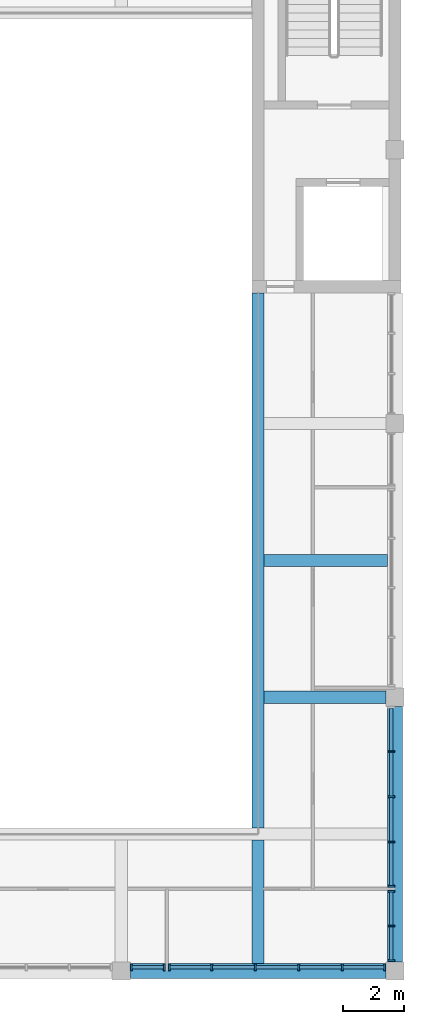
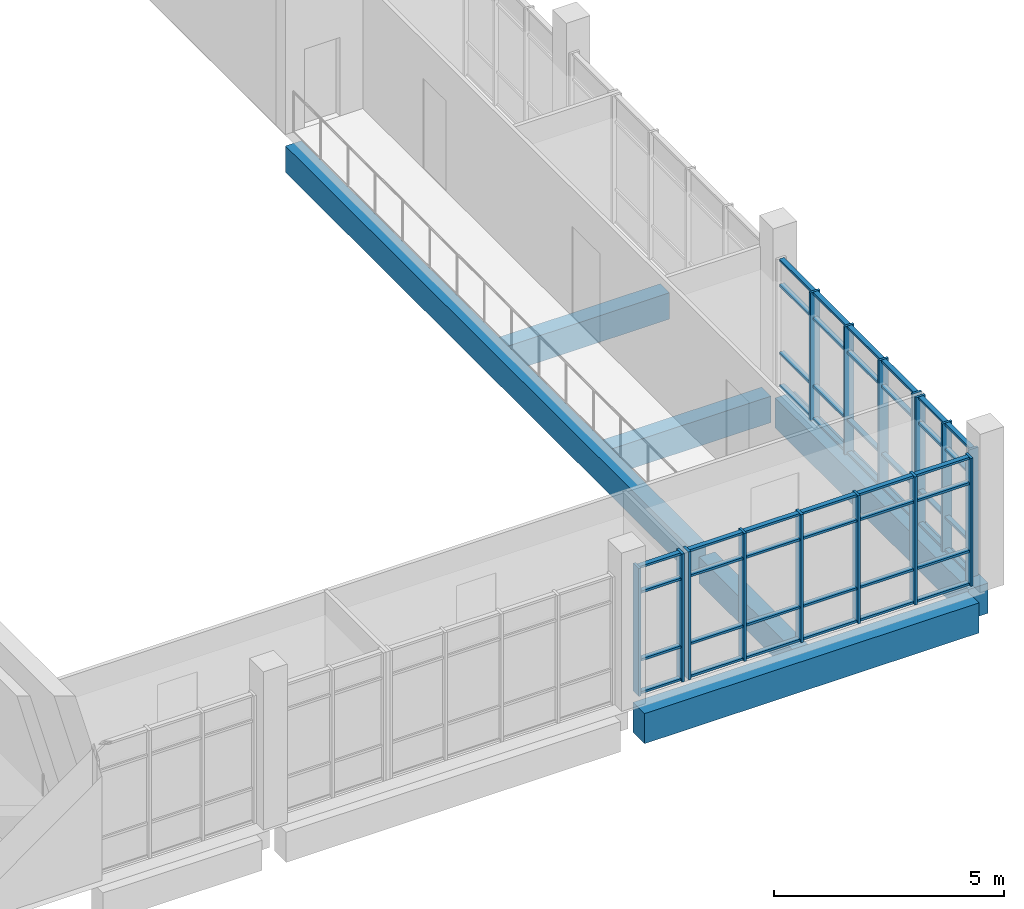
# One storey, part 10 of 92: 63 members, 6 beams, 4 elements without a shape of their own.
"""IFC4 building model written with IfcOpenShell, lengths in metres."""

from ifc_helpers import new_model, si_unit, direction, frame, origin, origin_2d, place, context, subcontext, project, spatial, rectangle, extrude, material, material_profile, profile_set, type_object, element, aggregate, save


model = new_model("IFC4")

# Units and contexts
model_context = context("Model", 3, precision=1e-05, world=origin(), true_north=direction((0.0, 1.0)))
body_context = subcontext(model_context, "Body", "Model", "MODEL_VIEW")
ifc_project = project(units=[si_unit("LENGTHUNIT", "METRE"), si_unit("AREAUNIT", "SQUARE_METRE"), si_unit("VOLUMEUNIT", "CUBIC_METRE"), si_unit("PLANEANGLEUNIT", "RADIAN"), si_unit("MASSUNIT", "GRAM", prefix="KILO")], contexts=[model_context])

# Site, building, storey
site_placement = place(None, origin())
site = spatial("IfcSite", under=ifc_project, at=site_placement, CompositionType="ELEMENT")
building_placement = place(site_placement, origin())
building = spatial("IfcBuilding", under=site, at=building_placement, Name="Merrow Basin Faculty of Sciences", CompositionType="ELEMENT")
storey_placement = place(building_placement, frame((0.0, 0.0, 4.5)))
storey = spatial("IfcBuildingStorey", under=building, at=storey_placement, Name="L01", CompositionType="ELEMENT", Elevation=4.5)

# Curtain wall, members
ifc_material_1 = material(Name="Aluminium alloy 6063", Category="aluminium")
curtain_wall_type = type_object("IfcCurtainWallType", Name="Atrium unitised curtain wall 240", PredefinedType="NOTDEFINED", material=ifc_material_1)
curtain_wall_1_placement = place(storey_placement, origin())
curtain_wall_1 = element("IfcCurtainWall", 1, at=curtain_wall_1_placement, inside=storey, type_object=curtain_wall_type, Name="E curtain wall L01 1", PredefinedType="NOTDEFINED")
ifc_material_2 = material(Name="Aluminium alloy 6063", Category="aluminium")
ifc_material_profile_1 = material_profile(ifc_material_2, rectangle(XDim=0.239990234375, YDim=0.06005859375, at=origin_2d()))
ifc_profile_set_1 = profile_set([ifc_material_profile_1], Name="Aluminium alloy 6063")
member_type_1 = type_object("IfcMemberType", Name="Aluminium mullion 60x240", PredefinedType="MULLION", material=ifc_profile_set_1)
member_1_placement = place(storey_placement, frame((71.8798828125, 0.330078125, 0.0), z_axis=(0.0, 0.0, 1.0), x_axis=(-1.0, 0.0, 0.0)))
member_1 = element("IfcMember", 2, at=member_1_placement, type_object=member_type_1, Name="CW5 mullion 1", PredefinedType="MULLION", context=body_context, shape_type="SweptSolid", body=[
    extrude(rectangle(XDim=0.239990234375, YDim=0.06005859375, at=origin_2d()), origin(), (0.0, 0.0, 1.0), 3.39990234375),
])
member_2_placement = place(storey_placement, frame((71.8798828125, 1.47509765625, 0.0), z_axis=(0.0, 0.0, 1.0), x_axis=(-1.0, 0.0, 0.0)))
member_2 = element("IfcMember", 3, at=member_2_placement, type_object=member_type_1, Name="CW5 mullion 2", PredefinedType="MULLION", context=body_context, shape_type="SweptSolid", body=[
    extrude(rectangle(XDim=0.239990234375, YDim=0.06005859375, at=origin_2d()), origin(), (0.0, 0.0, 1.0), 3.39990234375),
])
member_3_placement = place(storey_placement, frame((71.8798828125, 2.6201171875, 0.0), z_axis=(0.0, 0.0, 1.0), x_axis=(-1.0, 0.0, 0.0)))
member_3 = element("IfcMember", 4, at=member_3_placement, type_object=member_type_1, Name="CW5 mullion 3", PredefinedType="MULLION", context=body_context, shape_type="SweptSolid", body=[
    extrude(rectangle(XDim=0.239990234375, YDim=0.06005859375, at=origin_2d()), origin(), (0.0, 0.0, 1.0), 3.39990234375),
])

curtain_wall_2_placement = place(storey_placement, origin())
curtain_wall_2 = element("IfcCurtainWall", 5, at=curtain_wall_2_placement, inside=storey, type_object=curtain_wall_type, Name="E curtain wall L01 2", PredefinedType="NOTDEFINED")
member_4_placement = place(storey_placement, frame((71.8798828125, 2.780029296875, 0.0), z_axis=(0.0, 0.0, 1.0), x_axis=(-1.0, 0.0, 0.0)))
member_4 = element("IfcMember", 6, at=member_4_placement, type_object=member_type_1, Name="CW5 mullion 1", PredefinedType="MULLION", context=body_context, shape_type="SweptSolid", body=[
    extrude(rectangle(XDim=0.239990234375, YDim=0.06005859375, at=origin_2d()), origin(), (0.0, 0.0, 1.0), 3.39990234375),
])
member_5_placement = place(storey_placement, frame((71.8798828125, 4.237548828125, 0.0), z_axis=(0.0, 0.0, 1.0), x_axis=(-1.0, 0.0, 0.0)))
member_5 = element("IfcMember", 7, at=member_5_placement, type_object=member_type_1, Name="CW5 mullion 2", PredefinedType="MULLION", context=body_context, shape_type="SweptSolid", body=[
    extrude(rectangle(XDim=0.239990234375, YDim=0.06005859375, at=origin_2d()), origin(), (0.0, 0.0, 1.0), 3.39990234375),
])
member_6_placement = place(storey_placement, frame((71.8798828125, 5.72509765625, 0.0), z_axis=(0.0, 0.0, 1.0), x_axis=(-1.0, 0.0, 0.0)))
member_6 = element("IfcMember", 8, at=member_6_placement, type_object=member_type_1, Name="CW5 mullion 3", PredefinedType="MULLION", context=body_context, shape_type="SweptSolid", body=[
    extrude(rectangle(XDim=0.239990234375, YDim=0.06005859375, at=origin_2d()), origin(), (0.0, 0.0, 1.0), 3.39990234375),
])
member_7_placement = place(storey_placement, frame((71.8798828125, 7.21240234375, 0.0), z_axis=(0.0, 0.0, 1.0), x_axis=(-1.0, 0.0, 0.0)))
member_7 = element("IfcMember", 9, at=member_7_placement, type_object=member_type_1, Name="CW5 mullion 4", PredefinedType="MULLION", context=body_context, shape_type="SweptSolid", body=[
    extrude(rectangle(XDim=0.239990234375, YDim=0.06005859375, at=origin_2d()), origin(), (0.0, 0.0, 1.0), 3.39990234375),
])

curtain_wall_3_placement = place(storey_placement, origin())
curtain_wall_3 = element("IfcCurtainWall", 10, at=curtain_wall_3_placement, inside=storey, type_object=curtain_wall_type, Name="S curtain wall L01 4", PredefinedType="NOTDEFINED")
member_8_placement = place(storey_placement, frame((63.330078125, 0.1201171875, 0.0), z_axis=(0.0, 0.0, 1.0), x_axis=(0.0, 1.0, 0.0)))
member_8 = element("IfcMember", 11, at=member_8_placement, type_object=member_type_1, Name="CW5 mullion 1", PredefinedType="MULLION", context=body_context, shape_type="SweptSolid", body=[
    extrude(rectangle(XDim=0.239990234375, YDim=0.06005859375, at=origin_2d()), origin(), (0.0, 0.0, 1.0), 3.39990234375),
])
member_9_placement = place(storey_placement, frame((64.419921875, 0.1201171875, 0.0), z_axis=(0.0, 0.0, 1.0), x_axis=(0.0, 1.0, 0.0)))
member_9 = element("IfcMember", 12, at=member_9_placement, type_object=member_type_1, Name="CW5 mullion 2", PredefinedType="MULLION", context=body_context, shape_type="SweptSolid", body=[
    extrude(rectangle(XDim=0.239990234375, YDim=0.06005859375, at=origin_2d()), origin(), (0.0, 0.0, 1.0), 3.39990234375),
])

curtain_wall_4_placement = place(storey_placement, origin())
curtain_wall_4 = element("IfcCurtainWall", 13, at=curtain_wall_4_placement, inside=storey, type_object=curtain_wall_type, Name="S curtain wall L01 5", PredefinedType="NOTDEFINED")
member_10_placement = place(storey_placement, frame((64.580078125, 0.1201171875, 0.0), z_axis=(0.0, 0.0, 1.0), x_axis=(0.0, 1.0, 0.0)))
member_10 = element("IfcMember", 14, at=member_10_placement, type_object=member_type_1, Name="CW5 mullion 1", PredefinedType="MULLION", context=body_context, shape_type="SweptSolid", body=[
    extrude(rectangle(XDim=0.239990234375, YDim=0.06005859375, at=origin_2d()), origin(), (0.0, 0.0, 1.0), 3.39990234375),
])
member_11_placement = place(storey_placement, frame((65.97998046875, 0.1201171875, 0.0), z_axis=(0.0, 0.0, 1.0), x_axis=(0.0, 1.0, 0.0)))
member_11 = element("IfcMember", 15, at=member_11_placement, type_object=member_type_1, Name="CW5 mullion 2", PredefinedType="MULLION", context=body_context, shape_type="SweptSolid", body=[
    extrude(rectangle(XDim=0.239990234375, YDim=0.06005859375, at=origin_2d()), origin(), (0.0, 0.0, 1.0), 3.39990234375),
])
member_12_placement = place(storey_placement, frame((67.409912109375, 0.1201171875, 0.0), z_axis=(0.0, 0.0, 1.0), x_axis=(0.0, 1.0, 0.0)))
member_12 = element("IfcMember", 16, at=member_12_placement, type_object=member_type_1, Name="CW5 mullion 3", PredefinedType="MULLION", context=body_context, shape_type="SweptSolid", body=[
    extrude(rectangle(XDim=0.239990234375, YDim=0.06005859375, at=origin_2d()), origin(), (0.0, 0.0, 1.0), 3.39990234375),
])
member_13_placement = place(storey_placement, frame((68.840087890625, 0.1201171875, 0.0), z_axis=(0.0, 0.0, 1.0), x_axis=(0.0, 1.0, 0.0)))
member_13 = element("IfcMember", 17, at=member_13_placement, type_object=member_type_1, Name="CW5 mullion 4", PredefinedType="MULLION", context=body_context, shape_type="SweptSolid", body=[
    extrude(rectangle(XDim=0.239990234375, YDim=0.06005859375, at=origin_2d()), origin(), (0.0, 0.0, 1.0), 3.39990234375),
])
member_14_placement = place(storey_placement, frame((70.27001953125, 0.1201171875, 0.0), z_axis=(0.0, 0.0, 1.0), x_axis=(0.0, 1.0, 0.0)))
member_14 = element("IfcMember", 18, at=member_14_placement, type_object=member_type_1, Name="CW5 mullion 5", PredefinedType="MULLION", context=body_context, shape_type="SweptSolid", body=[
    extrude(rectangle(XDim=0.239990234375, YDim=0.06005859375, at=origin_2d()), origin(), (0.0, 0.0, 1.0), 3.39990234375),
])
member_15_placement = place(storey_placement, frame((71.669921875, 0.1201171875, 0.0), z_axis=(0.0, 0.0, 1.0), x_axis=(0.0, 1.0, 0.0)))
member_15 = element("IfcMember", 19, at=member_15_placement, type_object=member_type_1, Name="CW5 mullion 6", PredefinedType="MULLION", context=body_context, shape_type="SweptSolid", body=[
    extrude(rectangle(XDim=0.239990234375, YDim=0.06005859375, at=origin_2d()), origin(), (0.0, 0.0, 1.0), 3.39990234375),
])

# Member
ifc_material_3 = material(Name="Aluminium alloy 6063", Category="aluminium")
ifc_material_profile_2 = material_profile(ifc_material_3, rectangle(XDim=0.1201171875, YDim=0.06005859375, at=origin_2d()))
ifc_profile_set_2 = profile_set([ifc_material_profile_2], Name="Aluminium alloy 6063")
member_type_2 = type_object("IfcMemberType", Name="Aluminium transom 60x120", PredefinedType="USERDEFINED", material=ifc_profile_set_2)
member_16_placement = place(storey_placement, frame((71.8798828125, 0.360107421875, 0.030029296875), z_axis=(0.0, 1.0, 0.0), x_axis=(-1.0, 0.0, 0.0)))
member_16 = element("IfcMember", 20, at=member_16_placement, type_object=member_type_2, Name="CW5 transom 1.1", ObjectType="TRANSOM", PredefinedType="USERDEFINED", context=body_context, shape_type="SweptSolid", body=[
    extrude(rectangle(XDim=0.1201171875, YDim=0.06005859375, at=origin_2d()), origin(), (0.0, 0.0, 1.0), 1.0849609375),
])

member_17_placement = place(storey_placement, frame((71.8798828125, 0.360107421875, 0.89990234375), z_axis=(0.0, 1.0, 0.0), x_axis=(-1.0, 0.0, 0.0)))
member_17 = element("IfcMember", 21, at=member_17_placement, type_object=member_type_2, Name="CW5 transom 1.2", ObjectType="TRANSOM", PredefinedType="USERDEFINED", context=body_context, shape_type="SweptSolid", body=[
    extrude(rectangle(XDim=0.1201171875, YDim=0.06005859375, at=origin_2d()), origin(), (0.0, 0.0, 1.0), 1.0849609375),
])

member_18_placement = place(storey_placement, frame((71.8798828125, 0.360107421875, 2.699951171875), z_axis=(0.0, 1.0, 0.0), x_axis=(-1.0, 0.0, 0.0)))
member_18 = element("IfcMember", 22, at=member_18_placement, type_object=member_type_2, Name="CW5 transom 1.3", ObjectType="TRANSOM", PredefinedType="USERDEFINED", context=body_context, shape_type="SweptSolid", body=[
    extrude(rectangle(XDim=0.1201171875, YDim=0.06005859375, at=origin_2d()), origin(), (0.0, 0.0, 1.0), 1.0849609375),
])

member_19_placement = place(storey_placement, frame((71.8798828125, 0.360107421875, 3.3701171875), z_axis=(0.0, 1.0, 0.0), x_axis=(-1.0, 0.0, 0.0)))
member_19 = element("IfcMember", 23, at=member_19_placement, type_object=member_type_2, Name="CW5 transom 1.4", ObjectType="TRANSOM", PredefinedType="USERDEFINED", context=body_context, shape_type="SweptSolid", body=[
    extrude(rectangle(XDim=0.1201171875, YDim=0.06005859375, at=origin_2d()), origin(), (0.0, 0.0, 1.0), 1.0849609375),
])

member_20_placement = place(storey_placement, frame((71.8798828125, 1.5048828125, 0.030029296875), z_axis=(0.0, 1.0, 0.0), x_axis=(-1.0, 0.0, 0.0)))
member_20 = element("IfcMember", 24, at=member_20_placement, type_object=member_type_2, Name="CW5 transom 2.1", ObjectType="TRANSOM", PredefinedType="USERDEFINED", context=body_context, shape_type="SweptSolid", body=[
    extrude(rectangle(XDim=0.1201171875, YDim=0.06005859375, at=origin_2d()), origin(), (0.0, 0.0, 1.0), 1.085205078125),
])

member_21_placement = place(storey_placement, frame((71.8798828125, 1.5048828125, 0.89990234375), z_axis=(0.0, 1.0, 0.0), x_axis=(-1.0, 0.0, 0.0)))
member_21 = element("IfcMember", 25, at=member_21_placement, type_object=member_type_2, Name="CW5 transom 2.2", ObjectType="TRANSOM", PredefinedType="USERDEFINED", context=body_context, shape_type="SweptSolid", body=[
    extrude(rectangle(XDim=0.1201171875, YDim=0.06005859375, at=origin_2d()), origin(), (0.0, 0.0, 1.0), 1.085205078125),
])

member_22_placement = place(storey_placement, frame((71.8798828125, 1.5048828125, 2.699951171875), z_axis=(0.0, 1.0, 0.0), x_axis=(-1.0, 0.0, 0.0)))
member_22 = element("IfcMember", 26, at=member_22_placement, type_object=member_type_2, Name="CW5 transom 2.3", ObjectType="TRANSOM", PredefinedType="USERDEFINED", context=body_context, shape_type="SweptSolid", body=[
    extrude(rectangle(XDim=0.1201171875, YDim=0.06005859375, at=origin_2d()), origin(), (0.0, 0.0, 1.0), 1.085205078125),
])

member_23_placement = place(storey_placement, frame((71.8798828125, 1.5048828125, 3.3701171875), z_axis=(0.0, 1.0, 0.0), x_axis=(-1.0, 0.0, 0.0)))
member_23 = element("IfcMember", 27, at=member_23_placement, type_object=member_type_2, Name="CW5 transom 2.4", ObjectType="TRANSOM", PredefinedType="USERDEFINED", context=body_context, shape_type="SweptSolid", body=[
    extrude(rectangle(XDim=0.1201171875, YDim=0.06005859375, at=origin_2d()), origin(), (0.0, 0.0, 1.0), 1.085205078125),
])

aggregate(curtain_wall_1, [member_1, member_2, member_3, member_16, member_17, member_18, member_19, member_20, member_21, member_22, member_23])

member_24_placement = place(storey_placement, frame((71.8798828125, 2.81005859375, 0.030029296875), z_axis=(0.0, 1.0, 0.0), x_axis=(-1.0, 0.0, 0.0)))
member_24 = element("IfcMember", 28, at=member_24_placement, type_object=member_type_2, Name="CW5 transom 1.1", ObjectType="TRANSOM", PredefinedType="USERDEFINED", context=body_context, shape_type="SweptSolid", body=[
    extrude(rectangle(XDim=0.1201171875, YDim=0.06005859375, at=origin_2d()), origin(), (0.0, 0.0, 1.0), 1.3974609375),
])

member_25_placement = place(storey_placement, frame((71.8798828125, 2.81005859375, 0.89990234375), z_axis=(0.0, 1.0, 0.0), x_axis=(-1.0, 0.0, 0.0)))
member_25 = element("IfcMember", 29, at=member_25_placement, type_object=member_type_2, Name="CW5 transom 1.2", ObjectType="TRANSOM", PredefinedType="USERDEFINED", context=body_context, shape_type="SweptSolid", body=[
    extrude(rectangle(XDim=0.1201171875, YDim=0.06005859375, at=origin_2d()), origin(), (0.0, 0.0, 1.0), 1.3974609375),
])

member_26_placement = place(storey_placement, frame((71.8798828125, 2.81005859375, 2.699951171875), z_axis=(0.0, 1.0, 0.0), x_axis=(-1.0, 0.0, 0.0)))
member_26 = element("IfcMember", 30, at=member_26_placement, type_object=member_type_2, Name="CW5 transom 1.3", ObjectType="TRANSOM", PredefinedType="USERDEFINED", context=body_context, shape_type="SweptSolid", body=[
    extrude(rectangle(XDim=0.1201171875, YDim=0.06005859375, at=origin_2d()), origin(), (0.0, 0.0, 1.0), 1.3974609375),
])

member_27_placement = place(storey_placement, frame((71.8798828125, 2.81005859375, 3.3701171875), z_axis=(0.0, 1.0, 0.0), x_axis=(-1.0, 0.0, 0.0)))
member_27 = element("IfcMember", 31, at=member_27_placement, type_object=member_type_2, Name="CW5 transom 1.4", ObjectType="TRANSOM", PredefinedType="USERDEFINED", context=body_context, shape_type="SweptSolid", body=[
    extrude(rectangle(XDim=0.1201171875, YDim=0.06005859375, at=origin_2d()), origin(), (0.0, 0.0, 1.0), 1.3974609375),
])

member_28_placement = place(storey_placement, frame((71.8798828125, 4.267578125, 0.030029296875), z_axis=(0.0, 1.0, 0.0), x_axis=(-1.0, 0.0, 0.0)))
member_28 = element("IfcMember", 32, at=member_28_placement, type_object=member_type_2, Name="CW5 transom 2.1", ObjectType="TRANSOM", PredefinedType="USERDEFINED", context=body_context, shape_type="SweptSolid", body=[
    extrude(rectangle(XDim=0.1201171875, YDim=0.06005859375, at=origin_2d()), origin(), (0.0, 0.0, 1.0), 1.427490234375),
])

member_29_placement = place(storey_placement, frame((71.8798828125, 4.267578125, 0.89990234375), z_axis=(0.0, 1.0, 0.0), x_axis=(-1.0, 0.0, 0.0)))
member_29 = element("IfcMember", 33, at=member_29_placement, type_object=member_type_2, Name="CW5 transom 2.2", ObjectType="TRANSOM", PredefinedType="USERDEFINED", context=body_context, shape_type="SweptSolid", body=[
    extrude(rectangle(XDim=0.1201171875, YDim=0.06005859375, at=origin_2d()), origin(), (0.0, 0.0, 1.0), 1.427490234375),
])

member_30_placement = place(storey_placement, frame((71.8798828125, 4.267578125, 2.699951171875), z_axis=(0.0, 1.0, 0.0), x_axis=(-1.0, 0.0, 0.0)))
member_30 = element("IfcMember", 34, at=member_30_placement, type_object=member_type_2, Name="CW5 transom 2.3", ObjectType="TRANSOM", PredefinedType="USERDEFINED", context=body_context, shape_type="SweptSolid", body=[
    extrude(rectangle(XDim=0.1201171875, YDim=0.06005859375, at=origin_2d()), origin(), (0.0, 0.0, 1.0), 1.427490234375),
])

member_31_placement = place(storey_placement, frame((71.8798828125, 4.267578125, 3.3701171875), z_axis=(0.0, 1.0, 0.0), x_axis=(-1.0, 0.0, 0.0)))
member_31 = element("IfcMember", 35, at=member_31_placement, type_object=member_type_2, Name="CW5 transom 2.4", ObjectType="TRANSOM", PredefinedType="USERDEFINED", context=body_context, shape_type="SweptSolid", body=[
    extrude(rectangle(XDim=0.1201171875, YDim=0.06005859375, at=origin_2d()), origin(), (0.0, 0.0, 1.0), 1.427490234375),
])

member_32_placement = place(storey_placement, frame((71.8798828125, 5.7548828125, 0.030029296875), z_axis=(0.0, 1.0, 0.0), x_axis=(-1.0, 0.0, 0.0)))
member_32 = element("IfcMember", 36, at=member_32_placement, type_object=member_type_2, Name="CW5 transom 3.1", ObjectType="TRANSOM", PredefinedType="USERDEFINED", context=body_context, shape_type="SweptSolid", body=[
    extrude(rectangle(XDim=0.1201171875, YDim=0.06005859375, at=origin_2d()), origin(), (0.0, 0.0, 1.0), 1.427734375),
])

member_33_placement = place(storey_placement, frame((71.8798828125, 5.7548828125, 0.89990234375), z_axis=(0.0, 1.0, 0.0), x_axis=(-1.0, 0.0, 0.0)))
member_33 = element("IfcMember", 37, at=member_33_placement, type_object=member_type_2, Name="CW5 transom 3.2", ObjectType="TRANSOM", PredefinedType="USERDEFINED", context=body_context, shape_type="SweptSolid", body=[
    extrude(rectangle(XDim=0.1201171875, YDim=0.06005859375, at=origin_2d()), origin(), (0.0, 0.0, 1.0), 1.427734375),
])

member_34_placement = place(storey_placement, frame((71.8798828125, 5.7548828125, 2.699951171875), z_axis=(0.0, 1.0, 0.0), x_axis=(-1.0, 0.0, 0.0)))
member_34 = element("IfcMember", 38, at=member_34_placement, type_object=member_type_2, Name="CW5 transom 3.3", ObjectType="TRANSOM", PredefinedType="USERDEFINED", context=body_context, shape_type="SweptSolid", body=[
    extrude(rectangle(XDim=0.1201171875, YDim=0.06005859375, at=origin_2d()), origin(), (0.0, 0.0, 1.0), 1.427734375),
])

member_35_placement = place(storey_placement, frame((71.8798828125, 5.7548828125, 3.3701171875), z_axis=(0.0, 1.0, 0.0), x_axis=(-1.0, 0.0, 0.0)))
member_35 = element("IfcMember", 39, at=member_35_placement, type_object=member_type_2, Name="CW5 transom 3.4", ObjectType="TRANSOM", PredefinedType="USERDEFINED", context=body_context, shape_type="SweptSolid", body=[
    extrude(rectangle(XDim=0.1201171875, YDim=0.06005859375, at=origin_2d()), origin(), (0.0, 0.0, 1.0), 1.427734375),
])

member_36_placement = place(storey_placement, frame((71.8798828125, 7.242431640625, 0.030029296875), z_axis=(0.0, 1.0, 0.0), x_axis=(-1.0, 0.0, 0.0)))
member_36 = element("IfcMember", 40, at=member_36_placement, type_object=member_type_2, Name="CW5 transom 4.1", ObjectType="TRANSOM", PredefinedType="USERDEFINED", context=body_context, shape_type="SweptSolid", body=[
    extrude(rectangle(XDim=0.1201171875, YDim=0.06005859375, at=origin_2d()), origin(), (0.0, 0.0, 1.0), 1.3974609375),
])

member_37_placement = place(storey_placement, frame((71.8798828125, 7.242431640625, 0.89990234375), z_axis=(0.0, 1.0, 0.0), x_axis=(-1.0, 0.0, 0.0)))
member_37 = element("IfcMember", 41, at=member_37_placement, type_object=member_type_2, Name="CW5 transom 4.2", ObjectType="TRANSOM", PredefinedType="USERDEFINED", context=body_context, shape_type="SweptSolid", body=[
    extrude(rectangle(XDim=0.1201171875, YDim=0.06005859375, at=origin_2d()), origin(), (0.0, 0.0, 1.0), 1.3974609375),
])

member_38_placement = place(storey_placement, frame((71.8798828125, 7.242431640625, 2.699951171875), z_axis=(0.0, 1.0, 0.0), x_axis=(-1.0, 0.0, 0.0)))
member_38 = element("IfcMember", 42, at=member_38_placement, type_object=member_type_2, Name="CW5 transom 4.3", ObjectType="TRANSOM", PredefinedType="USERDEFINED", context=body_context, shape_type="SweptSolid", body=[
    extrude(rectangle(XDim=0.1201171875, YDim=0.06005859375, at=origin_2d()), origin(), (0.0, 0.0, 1.0), 1.3974609375),
])

member_39_placement = place(storey_placement, frame((71.8798828125, 7.242431640625, 3.3701171875), z_axis=(0.0, 1.0, 0.0), x_axis=(-1.0, 0.0, 0.0)))
member_39 = element("IfcMember", 43, at=member_39_placement, type_object=member_type_2, Name="CW5 transom 4.4", ObjectType="TRANSOM", PredefinedType="USERDEFINED", context=body_context, shape_type="SweptSolid", body=[
    extrude(rectangle(XDim=0.1201171875, YDim=0.06005859375, at=origin_2d()), origin(), (0.0, 0.0, 1.0), 1.3974609375),
])

aggregate(curtain_wall_2, [member_4, member_5, member_6, member_7, member_24, member_25, member_26, member_27, member_28, member_29, member_30, member_31, member_32, member_33, member_34, member_35, member_36, member_37, member_38, member_39])

member_40_placement = place(storey_placement, frame((63.360107421875, 0.1201171875, 0.030029296875), z_axis=(1.0, 0.0, 0.0), x_axis=(0.0, 1.0, 0.0)))
member_40 = element("IfcMember", 44, at=member_40_placement, type_object=member_type_2, Name="CW5 transom 1.1", ObjectType="TRANSOM", PredefinedType="USERDEFINED", context=body_context, shape_type="SweptSolid", body=[
    extrude(rectangle(XDim=0.1201171875, YDim=0.06005859375, at=origin_2d()), origin(), (0.0, 0.0, 1.0), 1.02978515625),
])

member_41_placement = place(storey_placement, frame((63.360107421875, 0.1201171875, 0.89990234375), z_axis=(1.0, 0.0, 0.0), x_axis=(0.0, 1.0, 0.0)))
member_41 = element("IfcMember", 45, at=member_41_placement, type_object=member_type_2, Name="CW5 transom 1.2", ObjectType="TRANSOM", PredefinedType="USERDEFINED", context=body_context, shape_type="SweptSolid", body=[
    extrude(rectangle(XDim=0.1201171875, YDim=0.06005859375, at=origin_2d()), origin(), (0.0, 0.0, 1.0), 1.02978515625),
])

member_42_placement = place(storey_placement, frame((63.360107421875, 0.1201171875, 2.699951171875), z_axis=(1.0, 0.0, 0.0), x_axis=(0.0, 1.0, 0.0)))
member_42 = element("IfcMember", 46, at=member_42_placement, type_object=member_type_2, Name="CW5 transom 1.3", ObjectType="TRANSOM", PredefinedType="USERDEFINED", context=body_context, shape_type="SweptSolid", body=[
    extrude(rectangle(XDim=0.1201171875, YDim=0.06005859375, at=origin_2d()), origin(), (0.0, 0.0, 1.0), 1.02978515625),
])

member_43_placement = place(storey_placement, frame((63.360107421875, 0.1201171875, 3.3701171875), z_axis=(1.0, 0.0, 0.0), x_axis=(0.0, 1.0, 0.0)))
member_43 = element("IfcMember", 47, at=member_43_placement, type_object=member_type_2, Name="CW5 transom 1.4", ObjectType="TRANSOM", PredefinedType="USERDEFINED", context=body_context, shape_type="SweptSolid", body=[
    extrude(rectangle(XDim=0.1201171875, YDim=0.06005859375, at=origin_2d()), origin(), (0.0, 0.0, 1.0), 1.02978515625),
])

aggregate(curtain_wall_3, [member_8, member_9, member_40, member_41, member_42, member_43])

member_44_placement = place(storey_placement, frame((64.610107421875, 0.1201171875, 0.030029296875), z_axis=(1.0, 0.0, 0.0), x_axis=(0.0, 1.0, 0.0)))
member_44 = element("IfcMember", 48, at=member_44_placement, type_object=member_type_2, Name="CW5 transom 1.1", ObjectType="TRANSOM", PredefinedType="USERDEFINED", context=body_context, shape_type="SweptSolid", body=[
    extrude(rectangle(XDim=0.1201171875, YDim=0.06005859375, at=origin_2d()), origin(), (0.0, 0.0, 1.0), 1.33984375),
])

member_45_placement = place(storey_placement, frame((64.610107421875, 0.1201171875, 0.89990234375), z_axis=(1.0, 0.0, 0.0), x_axis=(0.0, 1.0, 0.0)))
member_45 = element("IfcMember", 49, at=member_45_placement, type_object=member_type_2, Name="CW5 transom 1.2", ObjectType="TRANSOM", PredefinedType="USERDEFINED", context=body_context, shape_type="SweptSolid", body=[
    extrude(rectangle(XDim=0.1201171875, YDim=0.06005859375, at=origin_2d()), origin(), (0.0, 0.0, 1.0), 1.33984375),
])

member_46_placement = place(storey_placement, frame((64.610107421875, 0.1201171875, 2.699951171875), z_axis=(1.0, 0.0, 0.0), x_axis=(0.0, 1.0, 0.0)))
member_46 = element("IfcMember", 50, at=member_46_placement, type_object=member_type_2, Name="CW5 transom 1.3", ObjectType="TRANSOM", PredefinedType="USERDEFINED", context=body_context, shape_type="SweptSolid", body=[
    extrude(rectangle(XDim=0.1201171875, YDim=0.06005859375, at=origin_2d()), origin(), (0.0, 0.0, 1.0), 1.33984375),
])

member_47_placement = place(storey_placement, frame((64.610107421875, 0.1201171875, 3.3701171875), z_axis=(1.0, 0.0, 0.0), x_axis=(0.0, 1.0, 0.0)))
member_47 = element("IfcMember", 51, at=member_47_placement, type_object=member_type_2, Name="CW5 transom 1.4", ObjectType="TRANSOM", PredefinedType="USERDEFINED", context=body_context, shape_type="SweptSolid", body=[
    extrude(rectangle(XDim=0.1201171875, YDim=0.06005859375, at=origin_2d()), origin(), (0.0, 0.0, 1.0), 1.33984375),
])

member_48_placement = place(storey_placement, frame((66.010009765625, 0.1201171875, 0.030029296875), z_axis=(1.0, 0.0, 0.0), x_axis=(0.0, 1.0, 0.0)))
member_48 = element("IfcMember", 52, at=member_48_placement, type_object=member_type_2, Name="CW5 transom 2.1", ObjectType="TRANSOM", PredefinedType="USERDEFINED", context=body_context, shape_type="SweptSolid", body=[
    extrude(rectangle(XDim=0.1201171875, YDim=0.06005859375, at=origin_2d()), origin(), (0.0, 0.0, 1.0), 1.369873046875),
])

member_49_placement = place(storey_placement, frame((66.010009765625, 0.1201171875, 0.89990234375), z_axis=(1.0, 0.0, 0.0), x_axis=(0.0, 1.0, 0.0)))
member_49 = element("IfcMember", 53, at=member_49_placement, type_object=member_type_2, Name="CW5 transom 2.2", ObjectType="TRANSOM", PredefinedType="USERDEFINED", context=body_context, shape_type="SweptSolid", body=[
    extrude(rectangle(XDim=0.1201171875, YDim=0.06005859375, at=origin_2d()), origin(), (0.0, 0.0, 1.0), 1.369873046875),
])

member_50_placement = place(storey_placement, frame((66.010009765625, 0.1201171875, 2.699951171875), z_axis=(1.0, 0.0, 0.0), x_axis=(0.0, 1.0, 0.0)))
member_50 = element("IfcMember", 54, at=member_50_placement, type_object=member_type_2, Name="CW5 transom 2.3", ObjectType="TRANSOM", PredefinedType="USERDEFINED", context=body_context, shape_type="SweptSolid", body=[
    extrude(rectangle(XDim=0.1201171875, YDim=0.06005859375, at=origin_2d()), origin(), (0.0, 0.0, 1.0), 1.369873046875),
])

member_51_placement = place(storey_placement, frame((66.010009765625, 0.1201171875, 3.3701171875), z_axis=(1.0, 0.0, 0.0), x_axis=(0.0, 1.0, 0.0)))
member_51 = element("IfcMember", 55, at=member_51_placement, type_object=member_type_2, Name="CW5 transom 2.4", ObjectType="TRANSOM", PredefinedType="USERDEFINED", context=body_context, shape_type="SweptSolid", body=[
    extrude(rectangle(XDim=0.1201171875, YDim=0.06005859375, at=origin_2d()), origin(), (0.0, 0.0, 1.0), 1.369873046875),
])

member_52_placement = place(storey_placement, frame((67.43994140625, 0.1201171875, 0.030029296875), z_axis=(1.0, 0.0, 0.0), x_axis=(0.0, 1.0, 0.0)))
member_52 = element("IfcMember", 56, at=member_52_placement, type_object=member_type_2, Name="CW5 transom 3.1", ObjectType="TRANSOM", PredefinedType="USERDEFINED", context=body_context, shape_type="SweptSolid", body=[
    extrude(rectangle(XDim=0.1201171875, YDim=0.06005859375, at=origin_2d()), origin(), (0.0, 0.0, 1.0), 1.3701171875),
])

member_53_placement = place(storey_placement, frame((67.43994140625, 0.1201171875, 0.89990234375), z_axis=(1.0, 0.0, 0.0), x_axis=(0.0, 1.0, 0.0)))
member_53 = element("IfcMember", 57, at=member_53_placement, type_object=member_type_2, Name="CW5 transom 3.2", ObjectType="TRANSOM", PredefinedType="USERDEFINED", context=body_context, shape_type="SweptSolid", body=[
    extrude(rectangle(XDim=0.1201171875, YDim=0.06005859375, at=origin_2d()), origin(), (0.0, 0.0, 1.0), 1.3701171875),
])

member_54_placement = place(storey_placement, frame((67.43994140625, 0.1201171875, 2.699951171875), z_axis=(1.0, 0.0, 0.0), x_axis=(0.0, 1.0, 0.0)))
member_54 = element("IfcMember", 58, at=member_54_placement, type_object=member_type_2, Name="CW5 transom 3.3", ObjectType="TRANSOM", PredefinedType="USERDEFINED", context=body_context, shape_type="SweptSolid", body=[
    extrude(rectangle(XDim=0.1201171875, YDim=0.06005859375, at=origin_2d()), origin(), (0.0, 0.0, 1.0), 1.3701171875),
])

member_55_placement = place(storey_placement, frame((67.43994140625, 0.1201171875, 3.3701171875), z_axis=(1.0, 0.0, 0.0), x_axis=(0.0, 1.0, 0.0)))
member_55 = element("IfcMember", 59, at=member_55_placement, type_object=member_type_2, Name="CW5 transom 3.4", ObjectType="TRANSOM", PredefinedType="USERDEFINED", context=body_context, shape_type="SweptSolid", body=[
    extrude(rectangle(XDim=0.1201171875, YDim=0.06005859375, at=origin_2d()), origin(), (0.0, 0.0, 1.0), 1.3701171875),
])

member_56_placement = place(storey_placement, frame((68.8701171875, 0.1201171875, 0.030029296875), z_axis=(1.0, 0.0, 0.0), x_axis=(0.0, 1.0, 0.0)))
member_56 = element("IfcMember", 60, at=member_56_placement, type_object=member_type_2, Name="CW5 transom 4.1", ObjectType="TRANSOM", PredefinedType="USERDEFINED", context=body_context, shape_type="SweptSolid", body=[
    extrude(rectangle(XDim=0.1201171875, YDim=0.06005859375, at=origin_2d()), origin(), (0.0, 0.0, 1.0), 1.369873046875),
])

member_57_placement = place(storey_placement, frame((68.8701171875, 0.1201171875, 0.89990234375), z_axis=(1.0, 0.0, 0.0), x_axis=(0.0, 1.0, 0.0)))
member_57 = element("IfcMember", 61, at=member_57_placement, type_object=member_type_2, Name="CW5 transom 4.2", ObjectType="TRANSOM", PredefinedType="USERDEFINED", context=body_context, shape_type="SweptSolid", body=[
    extrude(rectangle(XDim=0.1201171875, YDim=0.06005859375, at=origin_2d()), origin(), (0.0, 0.0, 1.0), 1.369873046875),
])

member_58_placement = place(storey_placement, frame((68.8701171875, 0.1201171875, 2.699951171875), z_axis=(1.0, 0.0, 0.0), x_axis=(0.0, 1.0, 0.0)))
member_58 = element("IfcMember", 62, at=member_58_placement, type_object=member_type_2, Name="CW5 transom 4.3", ObjectType="TRANSOM", PredefinedType="USERDEFINED", context=body_context, shape_type="SweptSolid", body=[
    extrude(rectangle(XDim=0.1201171875, YDim=0.06005859375, at=origin_2d()), origin(), (0.0, 0.0, 1.0), 1.369873046875),
])

member_59_placement = place(storey_placement, frame((68.8701171875, 0.1201171875, 3.3701171875), z_axis=(1.0, 0.0, 0.0), x_axis=(0.0, 1.0, 0.0)))
member_59 = element("IfcMember", 63, at=member_59_placement, type_object=member_type_2, Name="CW5 transom 4.4", ObjectType="TRANSOM", PredefinedType="USERDEFINED", context=body_context, shape_type="SweptSolid", body=[
    extrude(rectangle(XDim=0.1201171875, YDim=0.06005859375, at=origin_2d()), origin(), (0.0, 0.0, 1.0), 1.369873046875),
])

member_60_placement = place(storey_placement, frame((70.300048828125, 0.1201171875, 0.030029296875), z_axis=(1.0, 0.0, 0.0), x_axis=(0.0, 1.0, 0.0)))
member_60 = element("IfcMember", 64, at=member_60_placement, type_object=member_type_2, Name="CW5 transom 5.1", ObjectType="TRANSOM", PredefinedType="USERDEFINED", context=body_context, shape_type="SweptSolid", body=[
    extrude(rectangle(XDim=0.1201171875, YDim=0.06005859375, at=origin_2d()), origin(), (0.0, 0.0, 1.0), 1.33984375),
])

member_61_placement = place(storey_placement, frame((70.300048828125, 0.1201171875, 0.89990234375), z_axis=(1.0, 0.0, 0.0), x_axis=(0.0, 1.0, 0.0)))
member_61 = element("IfcMember", 65, at=member_61_placement, type_object=member_type_2, Name="CW5 transom 5.2", ObjectType="TRANSOM", PredefinedType="USERDEFINED", context=body_context, shape_type="SweptSolid", body=[
    extrude(rectangle(XDim=0.1201171875, YDim=0.06005859375, at=origin_2d()), origin(), (0.0, 0.0, 1.0), 1.33984375),
])

member_62_placement = place(storey_placement, frame((70.300048828125, 0.1201171875, 2.699951171875), z_axis=(1.0, 0.0, 0.0), x_axis=(0.0, 1.0, 0.0)))
member_62 = element("IfcMember", 66, at=member_62_placement, type_object=member_type_2, Name="CW5 transom 5.3", ObjectType="TRANSOM", PredefinedType="USERDEFINED", context=body_context, shape_type="SweptSolid", body=[
    extrude(rectangle(XDim=0.1201171875, YDim=0.06005859375, at=origin_2d()), origin(), (0.0, 0.0, 1.0), 1.33984375),
])

member_63_placement = place(storey_placement, frame((70.300048828125, 0.1201171875, 3.3701171875), z_axis=(1.0, 0.0, 0.0), x_axis=(0.0, 1.0, 0.0)))
member_63 = element("IfcMember", 67, at=member_63_placement, type_object=member_type_2, Name="CW5 transom 5.4", ObjectType="TRANSOM", PredefinedType="USERDEFINED", context=body_context, shape_type="SweptSolid", body=[
    extrude(rectangle(XDim=0.1201171875, YDim=0.06005859375, at=origin_2d()), origin(), (0.0, 0.0, 1.0), 1.33984375),
])

aggregate(curtain_wall_4, [member_10, member_11, member_12, member_13, member_14, member_15, member_44, member_45, member_46, member_47, member_48, member_49, member_50, member_51, member_52, member_53, member_54, member_55, member_56, member_57, member_58, member_59, member_60, member_61, member_62, member_63])

# Beams
ifc_material_4 = material(Name="Concrete C40/50", Category="concrete")
ifc_material_profile_3 = material_profile(ifc_material_4, rectangle(XDim=0.5, YDim=0.800048828125, at=origin_2d()))
ifc_profile_set_3 = profile_set([ifc_material_profile_3], Name="Concrete C40/50")
beam_type_1 = type_object("IfcBeamType", Name="Beam RC500x800 C40/50", PredefinedType="BEAM", material=ifc_profile_set_3)
for number, where, z_axis, x_axis, name in (
    (68, (63.300048828125, 0.0, -0.699951171875), (1.0, 0.0, 0.0), (0.0, 1.0, 0.0), "B4 L01 003"),
    (69, (72.0, 0.300048828125, -0.699951171875), (0.0, 1.0, 0.0), (-1.0, 0.0, 0.0), "B4 L01 010"),
):
    element("IfcBeam", number, at=place(storey_placement, frame(where, z_axis=z_axis, x_axis=x_axis)), inside=storey, type_object=beam_type_1, Name=name, PredefinedType="BEAM", context=body_context, shape_type="SweptSolid", body=[
        extrude(rectangle(XDim=0.5, YDim=0.800048828125, at=origin_2d()), origin(), (0.0, 0.0, 1.0), 8.39990234375),
    ])
ifc_material_5 = material(Name="Concrete C40/50", Category="concrete")
ifc_material_profile_4 = material_profile(ifc_material_5, rectangle(XDim=0.39990234375, YDim=0.699951171875, at=origin_2d()))
ifc_profile_set_4 = profile_set([ifc_material_profile_4], Name="Concrete C40/50")
beam_type_2 = type_object("IfcBeamType", Name="Gallery edge beam RC400x700 C40/50", PredefinedType="BEAM", material=ifc_profile_set_4)
beam_1_placement = place(storey_placement, frame((67.5, 0.25, -0.64990234375), z_axis=(0.0, 1.0, 0.0), x_axis=(-1.0, 0.0, 0.0)))
element("IfcBeam", 70, at=beam_1_placement, inside=storey, type_object=beam_type_2, Name="GB1 L01 017", PredefinedType="BEAM", context=body_context, shape_type="SweptSolid", body=[
    extrude(rectangle(XDim=0.39990234375, YDim=0.699951171875, at=origin_2d()), origin(), (0.0, 0.0, 1.0), 4.050048828125),
])
beam_2_placement = place(storey_placement, frame((67.5, 4.699951171875, -0.64990234375), z_axis=(0.0, 1.0, 0.0), x_axis=(-1.0, 0.0, 0.0)))
element("IfcBeam", 71, at=beam_2_placement, inside=storey, type_object=beam_type_2, Name="GB1 L01 018", PredefinedType="BEAM", context=body_context, shape_type="SweptSolid", body=[
    extrude(rectangle(XDim=0.39990234375, YDim=0.699951171875, at=origin_2d()), origin(), (0.0, 0.0, 1.0), 17.60009765625),
])
beam_3_placement = place(storey_placement, frame((67.699951171875, 13.5, -0.64990234375), z_axis=(1.0, 0.0, 0.0), x_axis=(0.0, 1.0, 0.0)))
element("IfcBeam", 72, at=beam_3_placement, inside=storey, type_object=beam_type_2, Name="GB1 L01 025", PredefinedType="BEAM", context=body_context, shape_type="SweptSolid", body=[
    extrude(rectangle(XDim=0.39990234375, YDim=0.699951171875, at=origin_2d()), origin(), (0.0, 0.0, 1.0), 4.050048828125),
])
beam_4_placement = place(storey_placement, frame((67.699951171875, 9.0, -0.64990234375), z_axis=(1.0, 0.0, 0.0), x_axis=(0.0, 1.0, 0.0)))
element("IfcBeam", 73, at=beam_4_placement, inside=storey, type_object=beam_type_2, Name="GB1 L01 027", PredefinedType="BEAM", context=body_context, shape_type="SweptSolid", body=[
    extrude(rectangle(XDim=0.39990234375, YDim=0.699951171875, at=origin_2d()), origin(), (0.0, 0.0, 1.0), 4.0),
])

save(model, "model.ifc")
